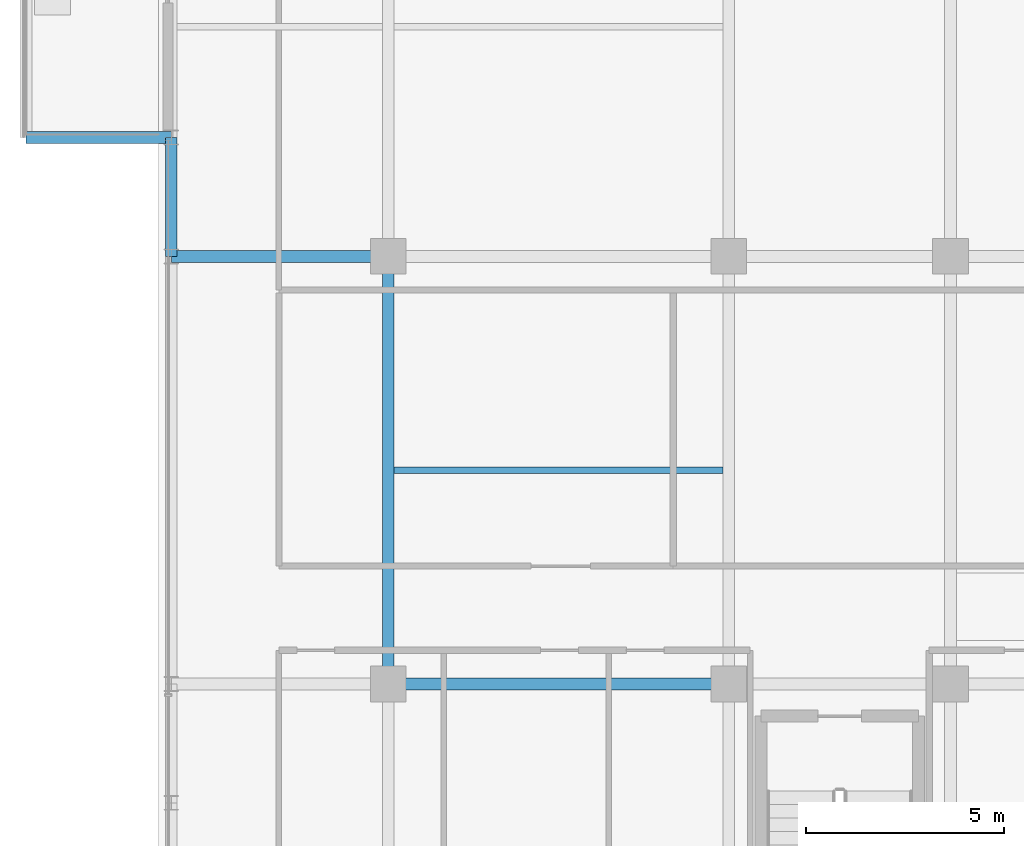
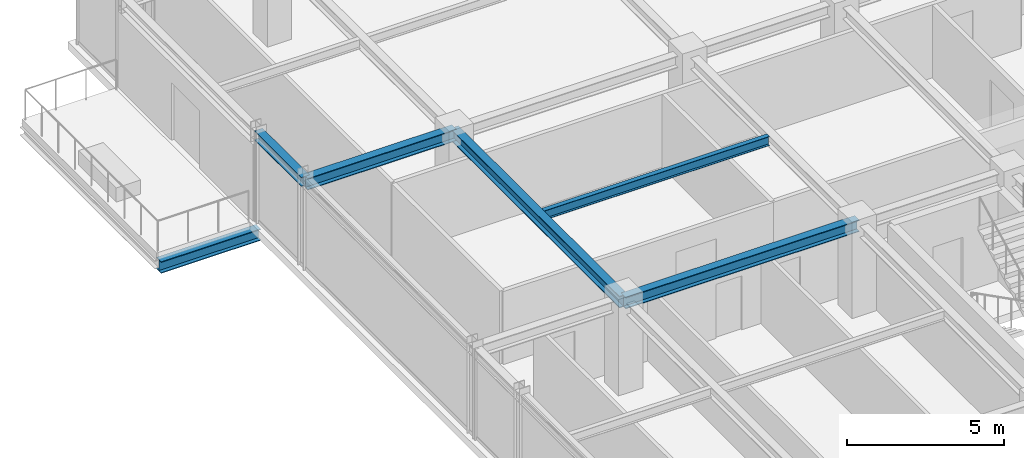
# One storey, part 9 of 36: 6 beams.
"""IFC4 building model written with IfcOpenShell, lengths in metres."""

from ifc_helpers import new_model, si_unit, direction, frame, origin, origin_2d, place, context, subcontext, project, spatial, i_section, extrude, source, transform, mapped, material, material_profile, profile_set, type_object, element, save


model = new_model("IFC4")

# Units and contexts
model_context = context("Model", 3, precision=1e-05, world=origin(), true_north=direction((0.0, 1.0)))
body_context = subcontext(model_context, "Body", "Model", "MODEL_VIEW")
ifc_project = project(units=[si_unit("LENGTHUNIT", "METRE"), si_unit("AREAUNIT", "SQUARE_METRE"), si_unit("VOLUMEUNIT", "CUBIC_METRE"), si_unit("PLANEANGLEUNIT", "RADIAN"), si_unit("MASSUNIT", "GRAM", prefix="KILO")], contexts=[model_context])

# Site, building, storey
site_placement = place(None, origin())
site = spatial("IfcSite", under=ifc_project, at=site_placement, CompositionType="ELEMENT")
building_placement = place(site_placement, origin())
building = spatial("IfcBuilding", under=site, at=building_placement, Name="Nahalor Promenade Grand Hotel", CompositionType="ELEMENT")
storey_placement = place(building_placement, frame((0.0, 0.0, 319.550048828125)))
storey = spatial("IfcBuildingStorey", under=building, at=storey_placement, Name="L82", CompositionType="ELEMENT", Elevation=319.550048828125)

# Beams
ifc_material = material(Name="Steel S355JR", Category="steel")
ifc_material_profile_1 = material_profile(ifc_material, i_section(OverallWidth=0.3, OverallDepth=0.45, WebThickness=0.014, FlangeThickness=0.026, at=origin_2d()), Name="HEB 450")
ifc_profile_set_1 = profile_set([ifc_material_profile_1], Name="Steel S355JR")
beam_type_1 = type_object("IfcBeamType", Name="Beam-Outrigger-HEB450", PredefinedType="BEAM", material=ifc_profile_set_1)
shared_shape_1 = source(origin(), body_context, "Body", "SweptSolid", [
    extrude(i_section(OverallWidth=0.3, OverallDepth=0.45, WebThickness=0.014, FlangeThickness=0.026, at=origin_2d()), origin(), (0.0, 0.0, 1.0), 3.669921875),
])
beam_1_placement = place(storey_placement, frame((-26.14990234375, 8.39990234375, -0.505126953125), z_axis=(1.0, 0.0, 0.0), x_axis=(0.0, 1.0, 0.0)))
element("IfcBeam", 1, at=beam_1_placement, inside=storey, type_object=beam_type_1, Name="BM-L82-BC-02-1", PredefinedType="BEAM", context=body_context, shape_type="MappedRepresentation", body=[
    mapped(shared_shape_1, transform((0.0, 0.0, 0.0), scale=1.0)),
])
ifc_material_profile_2 = material_profile(ifc_material, i_section(OverallWidth=0.3, OverallDepth=0.45, WebThickness=0.014, FlangeThickness=0.026, at=origin_2d()), Name="HEB 450")
ifc_profile_set_2 = profile_set([ifc_material_profile_2], Name="Steel S355JR")
beam_type_2 = type_object("IfcBeamType", Name="Beam-Girder-HEB450", PredefinedType="BEAM", material=ifc_profile_set_2)
shared_shape_2 = source(origin(), body_context, "Body", "SweptSolid", [
    extrude(i_section(OverallWidth=0.3, OverallDepth=0.45, WebThickness=0.014, FlangeThickness=0.026, at=origin_2d()), origin(), (0.0, 0.0, 1.0), 8.60009765625),
])
beam_2_placement = place(storey_placement, frame((-17.0, -5.39990234375, 3.27490234375), z_axis=(1.0, 0.0, 0.0), x_axis=(0.0, 1.0, 0.0)))
element("IfcBeam", 2, at=beam_2_placement, inside=storey, type_object=beam_type_2, Name="BM-L82-GX-1-1", PredefinedType="BEAM", context=body_context, shape_type="MappedRepresentation", body=[
    mapped(shared_shape_2, transform((0.0, 0.0, 0.0), scale=1.0)),
])
shared_shape_3 = source(origin(), body_context, "Body", "SweptSolid", [
    extrude(i_section(OverallWidth=0.3, OverallDepth=0.45, WebThickness=0.014, FlangeThickness=0.026, at=origin_2d()), origin(), (0.0, 0.0, 1.0), 10.7998046875),
])
beam_3_placement = place(storey_placement, frame((-17.0, -5.39990234375, 3.27490234375), z_axis=(0.0, 1.0, 0.0), x_axis=(-1.0, 0.0, 0.0)))
element("IfcBeam", 3, at=beam_3_placement, inside=storey, type_object=beam_type_2, Name="BM-L82-GY-0-2", PredefinedType="BEAM", context=body_context, shape_type="MappedRepresentation", body=[
    mapped(shared_shape_3, transform((0.0, 0.0, 0.0), scale=1.0)),
])
shared_shape_4 = source(origin(), body_context, "Body", "SweptSolid", [
    extrude(i_section(OverallWidth=0.3, OverallDepth=0.45, WebThickness=0.014, FlangeThickness=0.026, at=origin_2d()), origin(), (0.0, 0.0, 1.0), 5.47998046875),
])
beam_4_placement = place(storey_placement, frame((-22.47998046875, 5.39990234375, 3.27490234375), z_axis=(1.0, 0.0, 0.0), x_axis=(0.0, 1.0, 0.0)))
element("IfcBeam", 4, at=beam_4_placement, inside=storey, type_object=beam_type_2, Name="BM-L82-GX-2-0", PredefinedType="BEAM", context=body_context, shape_type="MappedRepresentation", body=[
    mapped(shared_shape_4, transform((0.0, 0.0, 0.0), scale=1.0)),
])
ifc_material_profile_3 = material_profile(ifc_material, i_section(OverallWidth=0.3, OverallDepth=0.36, WebThickness=0.0125, FlangeThickness=0.0225, at=origin_2d()), Name="HEB 360")
ifc_profile_set_3 = profile_set([ifc_material_profile_3], Name="Steel S355JR")
beam_type_3 = type_object("IfcBeamType", Name="Beam-Spandrel-HEB360", PredefinedType="SPANDREL", material=ifc_profile_set_3)
shared_shape_5 = source(origin(), body_context, "Body", "SweptSolid", [
    extrude(i_section(OverallWidth=0.3, OverallDepth=0.36, WebThickness=0.0125, FlangeThickness=0.0225, at=origin_2d()), origin(), (0.0, 0.0, 1.0), 3.0),
])
beam_5_placement = place(storey_placement, frame((-22.47998046875, 5.39990234375, 3.320068359375), z_axis=(0.0, 1.0, 0.0), x_axis=(-1.0, 0.0, 0.0)))
element("IfcBeam", 5, at=beam_5_placement, inside=storey, type_object=beam_type_3, Name="BM-L82-SP-W-3", PredefinedType="SPANDREL", context=body_context, shape_type="MappedRepresentation", body=[
    mapped(shared_shape_5, transform((0.0, 0.0, 0.0), scale=1.0)),
])
ifc_material_profile_4 = material_profile(ifc_material, i_section(OverallWidth=0.17, OverallDepth=0.36, WebThickness=0.008, FlangeThickness=0.0127, at=origin_2d()), Name="IPE 360")
ifc_profile_set_4 = profile_set([ifc_material_profile_4], Name="Steel S355JR")
beam_type_4 = type_object("IfcBeamType", Name="Beam-Joist-IPE360", PredefinedType="JOIST", material=ifc_profile_set_4)
shared_shape_6 = source(origin(), body_context, "Body", "SweptSolid", [
    extrude(i_section(OverallWidth=0.17, OverallDepth=0.36, WebThickness=0.008, FlangeThickness=0.0127, at=origin_2d()), origin(), (0.0, 0.0, 1.0), 8.300048828125),
])
beam_6_placement = place(storey_placement, frame((-16.85009765625, 0.0, 3.320068359375), z_axis=(1.0, 0.0, 0.0), x_axis=(0.0, 1.0, 0.0)))
element("IfcBeam", 6, at=beam_6_placement, inside=storey, type_object=beam_type_4, Name="BM-L82-JSC-0", PredefinedType="JOIST", context=body_context, shape_type="MappedRepresentation", body=[
    mapped(shared_shape_6, transform((0.0, 0.0, 0.0), scale=1.0)),
])

save(model, "model.ifc")
